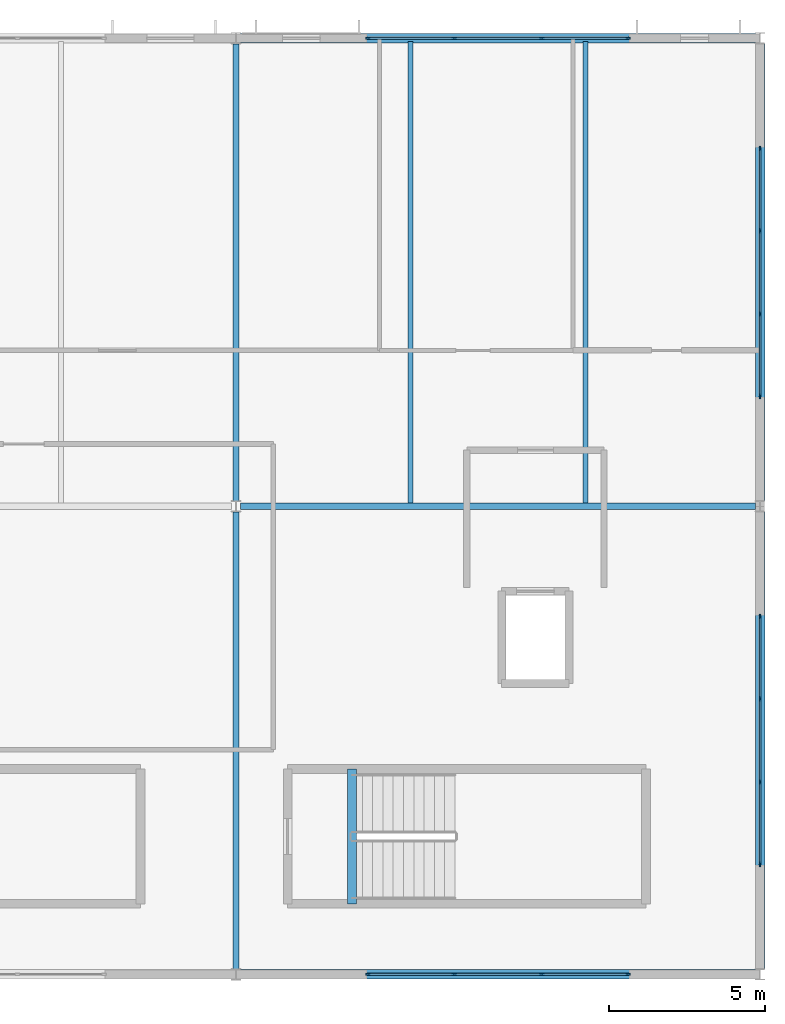
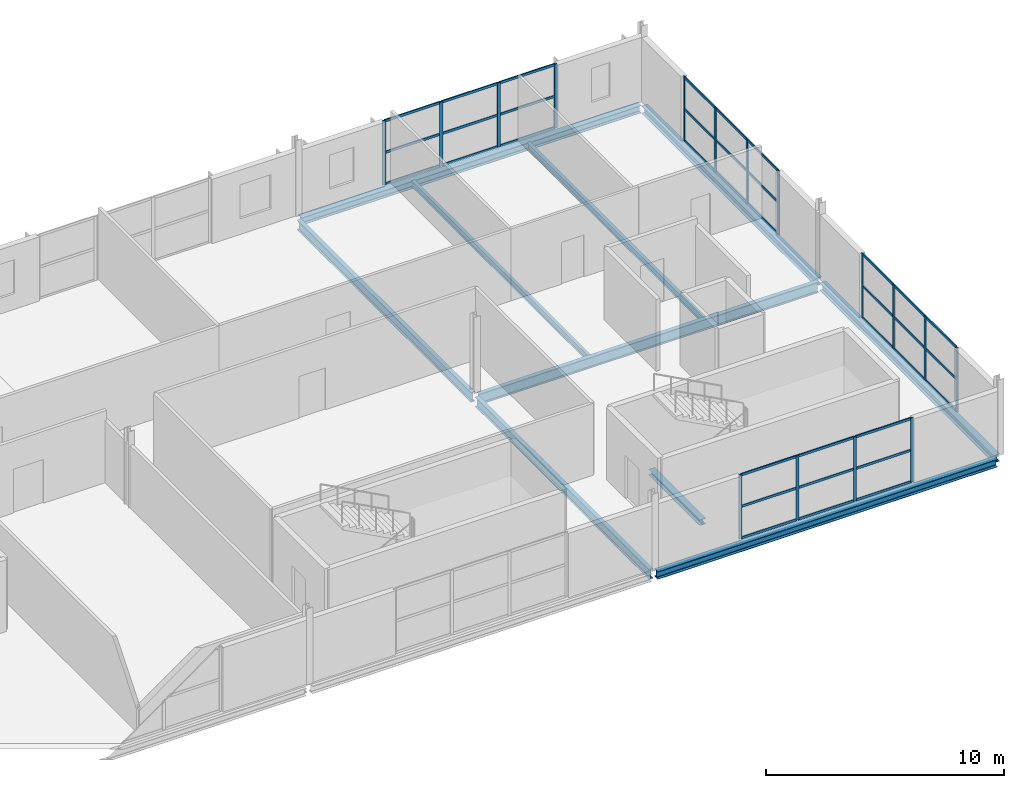
# One storey, part 11 of 18: 52 members, 10 beams, 4 elements without a shape of their own.
"""IFC4 building model written with IfcOpenShell, lengths in metres."""

from ifc_helpers import new_model, si_unit, direction, frame, origin, origin_2d, place, context, subcontext, project, spatial, rectangle, i_section, extrude, material, material_profile, profile_set, type_object, element, aggregate, save


model = new_model("IFC4")

# Units and contexts
model_context = context("Model", 3, precision=1e-05, world=origin(), true_north=direction((0.0, 1.0)))
body_context = subcontext(model_context, "Body", "Model", "MODEL_VIEW")
ifc_project = project(units=[si_unit("LENGTHUNIT", "METRE"), si_unit("AREAUNIT", "SQUARE_METRE"), si_unit("VOLUMEUNIT", "CUBIC_METRE"), si_unit("PLANEANGLEUNIT", "RADIAN"), si_unit("MASSUNIT", "GRAM", prefix="KILO")], contexts=[model_context])

# Site, building, storey
site_placement = place(None, origin())
site = spatial("IfcSite", under=ifc_project, at=site_placement, CompositionType="ELEMENT")
building_placement = place(site_placement, origin())
building = spatial("IfcBuilding", under=site, at=building_placement, Name="Kimbaza Rail Terminus", CompositionType="ELEMENT")
storey_placement = place(building_placement, frame((0.0, 0.0, 24.89990234375)))
storey = spatial("IfcBuildingStorey", under=building, at=storey_placement, Name="L05", CompositionType="ELEMENT", Elevation=24.89990234375)

# Curtain wall, members
ifc_material_1 = material(Name="Anodised aluminium framing and solar low-E glazing", Category="aluminium")
curtain_wall_type = type_object("IfcCurtainWallType", Name="ARC-CW-OP2", PredefinedType="USERDEFINED", material=ifc_material_1)
curtain_wall_1_placement = place(storey_placement, origin())
curtain_wall_1 = element("IfcCurtainWall", 1, at=curtain_wall_1_placement, inside=storey, type_object=curtain_wall_type, Name="Operations North Curtain Wall L05 Bay 4", ObjectType="STICK CURTAIN WALL", PredefinedType="USERDEFINED")
ifc_material_2 = material(Name="Anodised architectural aluminium", Category="aluminium")
ifc_material_profile_1 = material_profile(ifc_material_2, rectangle(XDim=0.05810546875, YDim=0.14990234375, at=origin_2d()), Name="MULLION 58x150")
ifc_profile_set_1 = profile_set([ifc_material_profile_1], Name="Anodised architectural aluminium")
member_type_1 = type_object("IfcMemberType", Name="ARC-CWM-06", PredefinedType="MULLION", material=ifc_profile_set_1)
member_1_placement = place(storey_placement, frame((126.62890625, 133.0, 0.0), z_axis=(0.0, 0.0, 1.0), x_axis=(0.0, 1.0, 0.0)))
member_1 = element("IfcMember", 2, at=member_1_placement, type_object=member_type_1, Name="CW-06 mullion 1", PredefinedType="MULLION", context=body_context, shape_type="SweptSolid", body=[
    extrude(rectangle(XDim=0.05810546875, YDim=0.14990234375, at=origin_2d()), origin(), (0.0, 0.0, 1.0), 3.300048828125),
])
member_2_placement = place(storey_placement, frame((129.39990234375, 133.0, 0.0), z_axis=(0.0, 0.0, 1.0), x_axis=(0.0, 1.0, 0.0)))
member_2 = element("IfcMember", 3, at=member_2_placement, type_object=member_type_1, Name="CW-06 mullion 2", PredefinedType="MULLION", context=body_context, shape_type="SweptSolid", body=[
    extrude(rectangle(XDim=0.05810546875, YDim=0.14990234375, at=origin_2d()), origin(), (0.0, 0.0, 1.0), 3.300048828125),
])
member_3_placement = place(storey_placement, frame((132.199951171875, 133.0, 0.0), z_axis=(0.0, 0.0, 1.0), x_axis=(0.0, 1.0, 0.0)))
member_3 = element("IfcMember", 4, at=member_3_placement, type_object=member_type_1, Name="CW-06 mullion 3", PredefinedType="MULLION", context=body_context, shape_type="SweptSolid", body=[
    extrude(rectangle(XDim=0.05810546875, YDim=0.14990234375, at=origin_2d()), origin(), (0.0, 0.0, 1.0), 3.300048828125),
])
member_4_placement = place(storey_placement, frame((134.970947265625, 133.0, 0.0), z_axis=(0.0, 0.0, 1.0), x_axis=(0.0, 1.0, 0.0)))
member_4 = element("IfcMember", 5, at=member_4_placement, type_object=member_type_1, Name="CW-06 mullion 4", PredefinedType="MULLION", context=body_context, shape_type="SweptSolid", body=[
    extrude(rectangle(XDim=0.05810546875, YDim=0.14990234375, at=origin_2d()), origin(), (0.0, 0.0, 1.0), 3.300048828125),
])

curtain_wall_2_placement = place(storey_placement, origin())
curtain_wall_2 = element("IfcCurtainWall", 6, at=curtain_wall_2_placement, inside=storey, type_object=curtain_wall_type, Name="Operations South Curtain Wall L05 Bay 4", ObjectType="STICK CURTAIN WALL", PredefinedType="USERDEFINED")
member_5_placement = place(storey_placement, frame((126.62890625, 103.0, 0.0), z_axis=(0.0, 0.0, 1.0), x_axis=(0.0, 1.0, 0.0)))
member_5 = element("IfcMember", 7, at=member_5_placement, type_object=member_type_1, Name="CW-06 mullion 1", PredefinedType="MULLION", context=body_context, shape_type="SweptSolid", body=[
    extrude(rectangle(XDim=0.05810546875, YDim=0.14990234375, at=origin_2d()), origin(), (0.0, 0.0, 1.0), 3.300048828125),
])
member_6_placement = place(storey_placement, frame((129.39990234375, 103.0, 0.0), z_axis=(0.0, 0.0, 1.0), x_axis=(0.0, 1.0, 0.0)))
member_6 = element("IfcMember", 8, at=member_6_placement, type_object=member_type_1, Name="CW-06 mullion 2", PredefinedType="MULLION", context=body_context, shape_type="SweptSolid", body=[
    extrude(rectangle(XDim=0.05810546875, YDim=0.14990234375, at=origin_2d()), origin(), (0.0, 0.0, 1.0), 3.300048828125),
])
member_7_placement = place(storey_placement, frame((132.199951171875, 103.0, 0.0), z_axis=(0.0, 0.0, 1.0), x_axis=(0.0, 1.0, 0.0)))
member_7 = element("IfcMember", 9, at=member_7_placement, type_object=member_type_1, Name="CW-06 mullion 3", PredefinedType="MULLION", context=body_context, shape_type="SweptSolid", body=[
    extrude(rectangle(XDim=0.05810546875, YDim=0.14990234375, at=origin_2d()), origin(), (0.0, 0.0, 1.0), 3.300048828125),
])
member_8_placement = place(storey_placement, frame((134.970947265625, 103.0, 0.0), z_axis=(0.0, 0.0, 1.0), x_axis=(0.0, 1.0, 0.0)))
member_8 = element("IfcMember", 10, at=member_8_placement, type_object=member_type_1, Name="CW-06 mullion 4", PredefinedType="MULLION", context=body_context, shape_type="SweptSolid", body=[
    extrude(rectangle(XDim=0.05810546875, YDim=0.14990234375, at=origin_2d()), origin(), (0.0, 0.0, 1.0), 3.300048828125),
])

curtain_wall_3_placement = place(storey_placement, origin())
curtain_wall_3 = element("IfcCurtainWall", 11, at=curtain_wall_3_placement, inside=storey, type_object=curtain_wall_type, Name="Operations E Curtain Wall L05.1", ObjectType="STICK CURTAIN WALL", PredefinedType="USERDEFINED")
member_9_placement = place(storey_placement, frame((139.199951171875, 106.529052734375, 0.0), z_axis=(0.0, 0.0, 1.0), x_axis=(-1.0, 0.0, 0.0)))
member_9 = element("IfcMember", 12, at=member_9_placement, type_object=member_type_1, Name="CW-06 mullion 1", PredefinedType="MULLION", context=body_context, shape_type="SweptSolid", body=[
    extrude(rectangle(XDim=0.05810546875, YDim=0.14990234375, at=origin_2d()), origin(), (0.0, 0.0, 1.0), 3.300048828125),
])
member_10_placement = place(storey_placement, frame((139.199951171875, 109.166748046875, 0.0), z_axis=(0.0, 0.0, 1.0), x_axis=(-1.0, 0.0, 0.0)))
member_10 = element("IfcMember", 13, at=member_10_placement, type_object=member_type_1, Name="CW-06 mullion 2", PredefinedType="MULLION", context=body_context, shape_type="SweptSolid", body=[
    extrude(rectangle(XDim=0.05810546875, YDim=0.14990234375, at=origin_2d()), origin(), (0.0, 0.0, 1.0), 3.300048828125),
])
member_11_placement = place(storey_placement, frame((139.199951171875, 111.833251953125, 0.0), z_axis=(0.0, 0.0, 1.0), x_axis=(-1.0, 0.0, 0.0)))
member_11 = element("IfcMember", 14, at=member_11_placement, type_object=member_type_1, Name="CW-06 mullion 3", PredefinedType="MULLION", context=body_context, shape_type="SweptSolid", body=[
    extrude(rectangle(XDim=0.05810546875, YDim=0.14990234375, at=origin_2d()), origin(), (0.0, 0.0, 1.0), 3.300048828125),
])
member_12_placement = place(storey_placement, frame((139.199951171875, 114.470947265625, 0.0), z_axis=(0.0, 0.0, 1.0), x_axis=(-1.0, 0.0, 0.0)))
member_12 = element("IfcMember", 15, at=member_12_placement, type_object=member_type_1, Name="CW-06 mullion 4", PredefinedType="MULLION", context=body_context, shape_type="SweptSolid", body=[
    extrude(rectangle(XDim=0.05810546875, YDim=0.14990234375, at=origin_2d()), origin(), (0.0, 0.0, 1.0), 3.300048828125),
])

curtain_wall_4_placement = place(storey_placement, origin())
curtain_wall_4 = element("IfcCurtainWall", 16, at=curtain_wall_4_placement, inside=storey, type_object=curtain_wall_type, Name="Operations E Curtain Wall L05.2", ObjectType="STICK CURTAIN WALL", PredefinedType="USERDEFINED")
member_13_placement = place(storey_placement, frame((139.199951171875, 121.529052734375, 0.0), z_axis=(0.0, 0.0, 1.0), x_axis=(-1.0, 0.0, 0.0)))
member_13 = element("IfcMember", 17, at=member_13_placement, type_object=member_type_1, Name="CW-06 mullion 1", PredefinedType="MULLION", context=body_context, shape_type="SweptSolid", body=[
    extrude(rectangle(XDim=0.05810546875, YDim=0.14990234375, at=origin_2d()), origin(), (0.0, 0.0, 1.0), 3.300048828125),
])
member_14_placement = place(storey_placement, frame((139.199951171875, 124.166748046875, 0.0), z_axis=(0.0, 0.0, 1.0), x_axis=(-1.0, 0.0, 0.0)))
member_14 = element("IfcMember", 18, at=member_14_placement, type_object=member_type_1, Name="CW-06 mullion 2", PredefinedType="MULLION", context=body_context, shape_type="SweptSolid", body=[
    extrude(rectangle(XDim=0.05810546875, YDim=0.14990234375, at=origin_2d()), origin(), (0.0, 0.0, 1.0), 3.300048828125),
])
member_15_placement = place(storey_placement, frame((139.199951171875, 126.833251953125, 0.0), z_axis=(0.0, 0.0, 1.0), x_axis=(-1.0, 0.0, 0.0)))
member_15 = element("IfcMember", 19, at=member_15_placement, type_object=member_type_1, Name="CW-06 mullion 3", PredefinedType="MULLION", context=body_context, shape_type="SweptSolid", body=[
    extrude(rectangle(XDim=0.05810546875, YDim=0.14990234375, at=origin_2d()), origin(), (0.0, 0.0, 1.0), 3.300048828125),
])
member_16_placement = place(storey_placement, frame((139.199951171875, 129.470947265625, 0.0), z_axis=(0.0, 0.0, 1.0), x_axis=(-1.0, 0.0, 0.0)))
member_16 = element("IfcMember", 20, at=member_16_placement, type_object=member_type_1, Name="CW-06 mullion 4", PredefinedType="MULLION", context=body_context, shape_type="SweptSolid", body=[
    extrude(rectangle(XDim=0.05810546875, YDim=0.14990234375, at=origin_2d()), origin(), (0.0, 0.0, 1.0), 3.300048828125),
])

# Member
ifc_material_3 = material(Name="Anodised architectural aluminium", Category="aluminium")
ifc_material_profile_2 = material_profile(ifc_material_3, rectangle(XDim=0.05810546875, YDim=0.125, at=origin_2d()), Name="TRANSOM 58x125")
ifc_profile_set_2 = profile_set([ifc_material_profile_2], Name="Anodised architectural aluminium")
member_type_2 = type_object("IfcMemberType", Name="ARC-CWT-06", PredefinedType="USERDEFINED", material=ifc_profile_set_2)
member_17_placement = place(storey_placement, frame((126.657958984375, 133.0, 0.029052734375), z_axis=(1.0, 0.0, 0.0), x_axis=(0.0, 1.0, 0.0)))
member_17 = element("IfcMember", 21, at=member_17_placement, type_object=member_type_2, Name="CW-06 transom 1.1", ObjectType="TRANSOM", PredefinedType="USERDEFINED", context=body_context, shape_type="SweptSolid", body=[
    extrude(rectangle(XDim=0.05810546875, YDim=0.125, at=origin_2d()), origin(), (0.0, 0.0, 1.0), 2.713134765625),
])

member_18_placement = place(storey_placement, frame((126.657958984375, 133.0, 1.650146484375), z_axis=(1.0, 0.0, 0.0), x_axis=(0.0, 1.0, 0.0)))
member_18 = element("IfcMember", 22, at=member_18_placement, type_object=member_type_2, Name="CW-06 transom 1.2", ObjectType="TRANSOM", PredefinedType="USERDEFINED", context=body_context, shape_type="SweptSolid", body=[
    extrude(rectangle(XDim=0.05810546875, YDim=0.125, at=origin_2d()), origin(), (0.0, 0.0, 1.0), 2.713134765625),
])

member_19_placement = place(storey_placement, frame((126.657958984375, 133.0, 3.27099609375), z_axis=(1.0, 0.0, 0.0), x_axis=(0.0, 1.0, 0.0)))
member_19 = element("IfcMember", 23, at=member_19_placement, type_object=member_type_2, Name="CW-06 transom 1.3", ObjectType="TRANSOM", PredefinedType="USERDEFINED", context=body_context, shape_type="SweptSolid", body=[
    extrude(rectangle(XDim=0.05810546875, YDim=0.125, at=origin_2d()), origin(), (0.0, 0.0, 1.0), 2.713134765625),
])

member_20_placement = place(storey_placement, frame((129.428955078125, 133.0, 0.029052734375), z_axis=(1.0, 0.0, 0.0), x_axis=(0.0, 1.0, 0.0)))
member_20 = element("IfcMember", 24, at=member_20_placement, type_object=member_type_2, Name="CW-06 transom 2.1", ObjectType="TRANSOM", PredefinedType="USERDEFINED", context=body_context, shape_type="SweptSolid", body=[
    extrude(rectangle(XDim=0.05810546875, YDim=0.125, at=origin_2d()), origin(), (0.0, 0.0, 1.0), 2.741943359375),
])

member_21_placement = place(storey_placement, frame((129.428955078125, 133.0, 1.650146484375), z_axis=(1.0, 0.0, 0.0), x_axis=(0.0, 1.0, 0.0)))
member_21 = element("IfcMember", 25, at=member_21_placement, type_object=member_type_2, Name="CW-06 transom 2.2", ObjectType="TRANSOM", PredefinedType="USERDEFINED", context=body_context, shape_type="SweptSolid", body=[
    extrude(rectangle(XDim=0.05810546875, YDim=0.125, at=origin_2d()), origin(), (0.0, 0.0, 1.0), 2.741943359375),
])

member_22_placement = place(storey_placement, frame((129.428955078125, 133.0, 3.27099609375), z_axis=(1.0, 0.0, 0.0), x_axis=(0.0, 1.0, 0.0)))
member_22 = element("IfcMember", 26, at=member_22_placement, type_object=member_type_2, Name="CW-06 transom 2.3", ObjectType="TRANSOM", PredefinedType="USERDEFINED", context=body_context, shape_type="SweptSolid", body=[
    extrude(rectangle(XDim=0.05810546875, YDim=0.125, at=origin_2d()), origin(), (0.0, 0.0, 1.0), 2.741943359375),
])

member_23_placement = place(storey_placement, frame((132.22900390625, 133.0, 0.029052734375), z_axis=(1.0, 0.0, 0.0), x_axis=(0.0, 1.0, 0.0)))
member_23 = element("IfcMember", 27, at=member_23_placement, type_object=member_type_2, Name="CW-06 transom 3.1", ObjectType="TRANSOM", PredefinedType="USERDEFINED", context=body_context, shape_type="SweptSolid", body=[
    extrude(rectangle(XDim=0.05810546875, YDim=0.125, at=origin_2d()), origin(), (0.0, 0.0, 1.0), 2.712890625),
])

member_24_placement = place(storey_placement, frame((132.22900390625, 133.0, 1.650146484375), z_axis=(1.0, 0.0, 0.0), x_axis=(0.0, 1.0, 0.0)))
member_24 = element("IfcMember", 28, at=member_24_placement, type_object=member_type_2, Name="CW-06 transom 3.2", ObjectType="TRANSOM", PredefinedType="USERDEFINED", context=body_context, shape_type="SweptSolid", body=[
    extrude(rectangle(XDim=0.05810546875, YDim=0.125, at=origin_2d()), origin(), (0.0, 0.0, 1.0), 2.712890625),
])

member_25_placement = place(storey_placement, frame((132.22900390625, 133.0, 3.27099609375), z_axis=(1.0, 0.0, 0.0), x_axis=(0.0, 1.0, 0.0)))
member_25 = element("IfcMember", 29, at=member_25_placement, type_object=member_type_2, Name="CW-06 transom 3.3", ObjectType="TRANSOM", PredefinedType="USERDEFINED", context=body_context, shape_type="SweptSolid", body=[
    extrude(rectangle(XDim=0.05810546875, YDim=0.125, at=origin_2d()), origin(), (0.0, 0.0, 1.0), 2.712890625),
])

aggregate(curtain_wall_1, [member_1, member_2, member_3, member_4, member_17, member_18, member_19, member_20, member_21, member_22, member_23, member_24, member_25])

member_26_placement = place(storey_placement, frame((126.657958984375, 103.0, 0.029052734375), z_axis=(1.0, 0.0, 0.0), x_axis=(0.0, 1.0, 0.0)))
member_26 = element("IfcMember", 30, at=member_26_placement, type_object=member_type_2, Name="CW-06 transom 1.1", ObjectType="TRANSOM", PredefinedType="USERDEFINED", context=body_context, shape_type="SweptSolid", body=[
    extrude(rectangle(XDim=0.05810546875, YDim=0.125, at=origin_2d()), origin(), (0.0, 0.0, 1.0), 2.713134765625),
])

member_27_placement = place(storey_placement, frame((126.657958984375, 103.0, 1.650146484375), z_axis=(1.0, 0.0, 0.0), x_axis=(0.0, 1.0, 0.0)))
member_27 = element("IfcMember", 31, at=member_27_placement, type_object=member_type_2, Name="CW-06 transom 1.2", ObjectType="TRANSOM", PredefinedType="USERDEFINED", context=body_context, shape_type="SweptSolid", body=[
    extrude(rectangle(XDim=0.05810546875, YDim=0.125, at=origin_2d()), origin(), (0.0, 0.0, 1.0), 2.713134765625),
])

member_28_placement = place(storey_placement, frame((126.657958984375, 103.0, 3.27099609375), z_axis=(1.0, 0.0, 0.0), x_axis=(0.0, 1.0, 0.0)))
member_28 = element("IfcMember", 32, at=member_28_placement, type_object=member_type_2, Name="CW-06 transom 1.3", ObjectType="TRANSOM", PredefinedType="USERDEFINED", context=body_context, shape_type="SweptSolid", body=[
    extrude(rectangle(XDim=0.05810546875, YDim=0.125, at=origin_2d()), origin(), (0.0, 0.0, 1.0), 2.713134765625),
])

member_29_placement = place(storey_placement, frame((129.428955078125, 103.0, 0.029052734375), z_axis=(1.0, 0.0, 0.0), x_axis=(0.0, 1.0, 0.0)))
member_29 = element("IfcMember", 33, at=member_29_placement, type_object=member_type_2, Name="CW-06 transom 2.1", ObjectType="TRANSOM", PredefinedType="USERDEFINED", context=body_context, shape_type="SweptSolid", body=[
    extrude(rectangle(XDim=0.05810546875, YDim=0.125, at=origin_2d()), origin(), (0.0, 0.0, 1.0), 2.741943359375),
])

member_30_placement = place(storey_placement, frame((129.428955078125, 103.0, 1.650146484375), z_axis=(1.0, 0.0, 0.0), x_axis=(0.0, 1.0, 0.0)))
member_30 = element("IfcMember", 34, at=member_30_placement, type_object=member_type_2, Name="CW-06 transom 2.2", ObjectType="TRANSOM", PredefinedType="USERDEFINED", context=body_context, shape_type="SweptSolid", body=[
    extrude(rectangle(XDim=0.05810546875, YDim=0.125, at=origin_2d()), origin(), (0.0, 0.0, 1.0), 2.741943359375),
])

member_31_placement = place(storey_placement, frame((129.428955078125, 103.0, 3.27099609375), z_axis=(1.0, 0.0, 0.0), x_axis=(0.0, 1.0, 0.0)))
member_31 = element("IfcMember", 35, at=member_31_placement, type_object=member_type_2, Name="CW-06 transom 2.3", ObjectType="TRANSOM", PredefinedType="USERDEFINED", context=body_context, shape_type="SweptSolid", body=[
    extrude(rectangle(XDim=0.05810546875, YDim=0.125, at=origin_2d()), origin(), (0.0, 0.0, 1.0), 2.741943359375),
])

member_32_placement = place(storey_placement, frame((132.22900390625, 103.0, 0.029052734375), z_axis=(1.0, 0.0, 0.0), x_axis=(0.0, 1.0, 0.0)))
member_32 = element("IfcMember", 36, at=member_32_placement, type_object=member_type_2, Name="CW-06 transom 3.1", ObjectType="TRANSOM", PredefinedType="USERDEFINED", context=body_context, shape_type="SweptSolid", body=[
    extrude(rectangle(XDim=0.05810546875, YDim=0.125, at=origin_2d()), origin(), (0.0, 0.0, 1.0), 2.712890625),
])

member_33_placement = place(storey_placement, frame((132.22900390625, 103.0, 1.650146484375), z_axis=(1.0, 0.0, 0.0), x_axis=(0.0, 1.0, 0.0)))
member_33 = element("IfcMember", 37, at=member_33_placement, type_object=member_type_2, Name="CW-06 transom 3.2", ObjectType="TRANSOM", PredefinedType="USERDEFINED", context=body_context, shape_type="SweptSolid", body=[
    extrude(rectangle(XDim=0.05810546875, YDim=0.125, at=origin_2d()), origin(), (0.0, 0.0, 1.0), 2.712890625),
])

member_34_placement = place(storey_placement, frame((132.22900390625, 103.0, 3.27099609375), z_axis=(1.0, 0.0, 0.0), x_axis=(0.0, 1.0, 0.0)))
member_34 = element("IfcMember", 38, at=member_34_placement, type_object=member_type_2, Name="CW-06 transom 3.3", ObjectType="TRANSOM", PredefinedType="USERDEFINED", context=body_context, shape_type="SweptSolid", body=[
    extrude(rectangle(XDim=0.05810546875, YDim=0.125, at=origin_2d()), origin(), (0.0, 0.0, 1.0), 2.712890625),
])

aggregate(curtain_wall_2, [member_5, member_6, member_7, member_8, member_26, member_27, member_28, member_29, member_30, member_31, member_32, member_33, member_34])

member_35_placement = place(storey_placement, frame((139.199951171875, 106.55810546875, 0.029052734375), z_axis=(0.0, 1.0, 0.0), x_axis=(-1.0, 0.0, 0.0)))
member_35 = element("IfcMember", 39, at=member_35_placement, type_object=member_type_2, Name="CW-06 transom 1.1", ObjectType="TRANSOM", PredefinedType="USERDEFINED", context=body_context, shape_type="SweptSolid", body=[
    extrude(rectangle(XDim=0.05810546875, YDim=0.125, at=origin_2d()), origin(), (0.0, 0.0, 1.0), 2.57958984375),
])

member_36_placement = place(storey_placement, frame((139.199951171875, 106.55810546875, 1.650146484375), z_axis=(0.0, 1.0, 0.0), x_axis=(-1.0, 0.0, 0.0)))
member_36 = element("IfcMember", 40, at=member_36_placement, type_object=member_type_2, Name="CW-06 transom 1.2", ObjectType="TRANSOM", PredefinedType="USERDEFINED", context=body_context, shape_type="SweptSolid", body=[
    extrude(rectangle(XDim=0.05810546875, YDim=0.125, at=origin_2d()), origin(), (0.0, 0.0, 1.0), 2.57958984375),
])

member_37_placement = place(storey_placement, frame((139.199951171875, 106.55810546875, 3.27099609375), z_axis=(0.0, 1.0, 0.0), x_axis=(-1.0, 0.0, 0.0)))
member_37 = element("IfcMember", 41, at=member_37_placement, type_object=member_type_2, Name="CW-06 transom 1.3", ObjectType="TRANSOM", PredefinedType="USERDEFINED", context=body_context, shape_type="SweptSolid", body=[
    extrude(rectangle(XDim=0.05810546875, YDim=0.125, at=origin_2d()), origin(), (0.0, 0.0, 1.0), 2.57958984375),
])

member_38_placement = place(storey_placement, frame((139.199951171875, 109.195556640625, 0.029052734375), z_axis=(0.0, 1.0, 0.0), x_axis=(-1.0, 0.0, 0.0)))
member_38 = element("IfcMember", 42, at=member_38_placement, type_object=member_type_2, Name="CW-06 transom 2.1", ObjectType="TRANSOM", PredefinedType="USERDEFINED", context=body_context, shape_type="SweptSolid", body=[
    extrude(rectangle(XDim=0.05810546875, YDim=0.125, at=origin_2d()), origin(), (0.0, 0.0, 1.0), 2.60888671875),
])

member_39_placement = place(storey_placement, frame((139.199951171875, 109.195556640625, 1.650146484375), z_axis=(0.0, 1.0, 0.0), x_axis=(-1.0, 0.0, 0.0)))
member_39 = element("IfcMember", 43, at=member_39_placement, type_object=member_type_2, Name="CW-06 transom 2.2", ObjectType="TRANSOM", PredefinedType="USERDEFINED", context=body_context, shape_type="SweptSolid", body=[
    extrude(rectangle(XDim=0.05810546875, YDim=0.125, at=origin_2d()), origin(), (0.0, 0.0, 1.0), 2.60888671875),
])

member_40_placement = place(storey_placement, frame((139.199951171875, 109.195556640625, 3.27099609375), z_axis=(0.0, 1.0, 0.0), x_axis=(-1.0, 0.0, 0.0)))
member_40 = element("IfcMember", 44, at=member_40_placement, type_object=member_type_2, Name="CW-06 transom 2.3", ObjectType="TRANSOM", PredefinedType="USERDEFINED", context=body_context, shape_type="SweptSolid", body=[
    extrude(rectangle(XDim=0.05810546875, YDim=0.125, at=origin_2d()), origin(), (0.0, 0.0, 1.0), 2.60888671875),
])

member_41_placement = place(storey_placement, frame((139.199951171875, 111.8623046875, 0.029052734375), z_axis=(0.0, 1.0, 0.0), x_axis=(-1.0, 0.0, 0.0)))
member_41 = element("IfcMember", 45, at=member_41_placement, type_object=member_type_2, Name="CW-06 transom 3.1", ObjectType="TRANSOM", PredefinedType="USERDEFINED", context=body_context, shape_type="SweptSolid", body=[
    extrude(rectangle(XDim=0.05810546875, YDim=0.125, at=origin_2d()), origin(), (0.0, 0.0, 1.0), 2.57958984375),
])

member_42_placement = place(storey_placement, frame((139.199951171875, 111.8623046875, 1.650146484375), z_axis=(0.0, 1.0, 0.0), x_axis=(-1.0, 0.0, 0.0)))
member_42 = element("IfcMember", 46, at=member_42_placement, type_object=member_type_2, Name="CW-06 transom 3.2", ObjectType="TRANSOM", PredefinedType="USERDEFINED", context=body_context, shape_type="SweptSolid", body=[
    extrude(rectangle(XDim=0.05810546875, YDim=0.125, at=origin_2d()), origin(), (0.0, 0.0, 1.0), 2.57958984375),
])

member_43_placement = place(storey_placement, frame((139.199951171875, 111.8623046875, 3.27099609375), z_axis=(0.0, 1.0, 0.0), x_axis=(-1.0, 0.0, 0.0)))
member_43 = element("IfcMember", 47, at=member_43_placement, type_object=member_type_2, Name="CW-06 transom 3.3", ObjectType="TRANSOM", PredefinedType="USERDEFINED", context=body_context, shape_type="SweptSolid", body=[
    extrude(rectangle(XDim=0.05810546875, YDim=0.125, at=origin_2d()), origin(), (0.0, 0.0, 1.0), 2.57958984375),
])

aggregate(curtain_wall_3, [member_9, member_10, member_11, member_12, member_35, member_36, member_37, member_38, member_39, member_40, member_41, member_42, member_43])

member_44_placement = place(storey_placement, frame((139.199951171875, 121.55810546875, 0.029052734375), z_axis=(0.0, 1.0, 0.0), x_axis=(-1.0, 0.0, 0.0)))
member_44 = element("IfcMember", 48, at=member_44_placement, type_object=member_type_2, Name="CW-06 transom 1.1", ObjectType="TRANSOM", PredefinedType="USERDEFINED", context=body_context, shape_type="SweptSolid", body=[
    extrude(rectangle(XDim=0.05810546875, YDim=0.125, at=origin_2d()), origin(), (0.0, 0.0, 1.0), 2.57958984375),
])

member_45_placement = place(storey_placement, frame((139.199951171875, 121.55810546875, 1.650146484375), z_axis=(0.0, 1.0, 0.0), x_axis=(-1.0, 0.0, 0.0)))
member_45 = element("IfcMember", 49, at=member_45_placement, type_object=member_type_2, Name="CW-06 transom 1.2", ObjectType="TRANSOM", PredefinedType="USERDEFINED", context=body_context, shape_type="SweptSolid", body=[
    extrude(rectangle(XDim=0.05810546875, YDim=0.125, at=origin_2d()), origin(), (0.0, 0.0, 1.0), 2.57958984375),
])

member_46_placement = place(storey_placement, frame((139.199951171875, 121.55810546875, 3.27099609375), z_axis=(0.0, 1.0, 0.0), x_axis=(-1.0, 0.0, 0.0)))
member_46 = element("IfcMember", 50, at=member_46_placement, type_object=member_type_2, Name="CW-06 transom 1.3", ObjectType="TRANSOM", PredefinedType="USERDEFINED", context=body_context, shape_type="SweptSolid", body=[
    extrude(rectangle(XDim=0.05810546875, YDim=0.125, at=origin_2d()), origin(), (0.0, 0.0, 1.0), 2.57958984375),
])

member_47_placement = place(storey_placement, frame((139.199951171875, 124.195556640625, 0.029052734375), z_axis=(0.0, 1.0, 0.0), x_axis=(-1.0, 0.0, 0.0)))
member_47 = element("IfcMember", 51, at=member_47_placement, type_object=member_type_2, Name="CW-06 transom 2.1", ObjectType="TRANSOM", PredefinedType="USERDEFINED", context=body_context, shape_type="SweptSolid", body=[
    extrude(rectangle(XDim=0.05810546875, YDim=0.125, at=origin_2d()), origin(), (0.0, 0.0, 1.0), 2.60888671875),
])

member_48_placement = place(storey_placement, frame((139.199951171875, 124.195556640625, 1.650146484375), z_axis=(0.0, 1.0, 0.0), x_axis=(-1.0, 0.0, 0.0)))
member_48 = element("IfcMember", 52, at=member_48_placement, type_object=member_type_2, Name="CW-06 transom 2.2", ObjectType="TRANSOM", PredefinedType="USERDEFINED", context=body_context, shape_type="SweptSolid", body=[
    extrude(rectangle(XDim=0.05810546875, YDim=0.125, at=origin_2d()), origin(), (0.0, 0.0, 1.0), 2.60888671875),
])

member_49_placement = place(storey_placement, frame((139.199951171875, 124.195556640625, 3.27099609375), z_axis=(0.0, 1.0, 0.0), x_axis=(-1.0, 0.0, 0.0)))
member_49 = element("IfcMember", 53, at=member_49_placement, type_object=member_type_2, Name="CW-06 transom 2.3", ObjectType="TRANSOM", PredefinedType="USERDEFINED", context=body_context, shape_type="SweptSolid", body=[
    extrude(rectangle(XDim=0.05810546875, YDim=0.125, at=origin_2d()), origin(), (0.0, 0.0, 1.0), 2.60888671875),
])

member_50_placement = place(storey_placement, frame((139.199951171875, 126.8623046875, 0.029052734375), z_axis=(0.0, 1.0, 0.0), x_axis=(-1.0, 0.0, 0.0)))
member_50 = element("IfcMember", 54, at=member_50_placement, type_object=member_type_2, Name="CW-06 transom 3.1", ObjectType="TRANSOM", PredefinedType="USERDEFINED", context=body_context, shape_type="SweptSolid", body=[
    extrude(rectangle(XDim=0.05810546875, YDim=0.125, at=origin_2d()), origin(), (0.0, 0.0, 1.0), 2.57958984375),
])

member_51_placement = place(storey_placement, frame((139.199951171875, 126.8623046875, 1.650146484375), z_axis=(0.0, 1.0, 0.0), x_axis=(-1.0, 0.0, 0.0)))
member_51 = element("IfcMember", 55, at=member_51_placement, type_object=member_type_2, Name="CW-06 transom 3.2", ObjectType="TRANSOM", PredefinedType="USERDEFINED", context=body_context, shape_type="SweptSolid", body=[
    extrude(rectangle(XDim=0.05810546875, YDim=0.125, at=origin_2d()), origin(), (0.0, 0.0, 1.0), 2.57958984375),
])

member_52_placement = place(storey_placement, frame((139.199951171875, 126.8623046875, 3.27099609375), z_axis=(0.0, 1.0, 0.0), x_axis=(-1.0, 0.0, 0.0)))
member_52 = element("IfcMember", 56, at=member_52_placement, type_object=member_type_2, Name="CW-06 transom 3.3", ObjectType="TRANSOM", PredefinedType="USERDEFINED", context=body_context, shape_type="SweptSolid", body=[
    extrude(rectangle(XDim=0.05810546875, YDim=0.125, at=origin_2d()), origin(), (0.0, 0.0, 1.0), 2.57958984375),
])

aggregate(curtain_wall_4, [member_13, member_14, member_15, member_16, member_44, member_45, member_46, member_47, member_48, member_49, member_50, member_51, member_52])

# Beams
ifc_material_4 = material(Name="Steel S355", Category="steel")
ifc_material_profile_3 = material_profile(ifc_material_4, i_section(OverallWidth=0.300048828125, OverallDepth=0.2900390625, WebThickness=0.008544921875, FlangeThickness=0.013916015625, FilletRadius=0.027099609375, at=origin_2d()), Name="HEA 300")
ifc_profile_set_3 = profile_set([ifc_material_profile_3], Name="Steel S355")
beam_type_1 = type_object("IfcBeamType", Name="STR-BM-HEA300", PredefinedType="SPANDREL", material=ifc_profile_set_3)
beam_1_placement = place(storey_placement, frame((126.1201171875, 105.260009765625, -0.3349609375), z_axis=(0.0, 1.0, 0.0), x_axis=(-1.0, 0.0, 0.0)))
element("IfcBeam", 57, at=beam_1_placement, inside=storey, type_object=beam_type_1, Name="Operations East Exit Stair Landing Trimmer Beam L05", PredefinedType="SPANDREL", context=body_context, shape_type="SweptSolid", body=[
    extrude(i_section(OverallWidth=0.300048828125, OverallDepth=0.2900390625, WebThickness=0.008544921875, FlangeThickness=0.013916015625, FilletRadius=0.027099609375, at=origin_2d()), origin(), (0.0, 0.0, 1.0), 4.320068359375),
])
ifc_material_5 = material(Name="Steel S355", Category="steel")
ifc_material_profile_4 = material_profile(ifc_material_5, i_section(OverallWidth=0.300048828125, OverallDepth=0.389892578125, WebThickness=0.010986328125, FlangeThickness=0.01904296875, FilletRadius=0.027099609375, at=origin_2d()), Name="HEA 400")
ifc_profile_set_4 = profile_set([ifc_material_profile_4], Name="Steel S355")
beam_type_2 = type_object("IfcBeamType", Name="STR-BM-HEA400", PredefinedType="SPANDREL", material=ifc_profile_set_4)
for number, where, z_axis, x_axis, name in (
    (58, (122.5458984375, 103.0, -0.385009765625), (1.0, 0.0, 0.0), (0.0, 1.0, 0.0), "Operations Girder L05 X3-Y0"),
    (59, (122.5458984375, 133.0, -0.385009765625), (1.0, 0.0, 0.0), (0.0, 1.0, 0.0), "Operations Girder L05 X3-Y2"),
):
    element("IfcBeam", number, at=place(storey_placement, frame(where, z_axis=z_axis, x_axis=x_axis)), inside=storey, type_object=beam_type_2, Name=name, PredefinedType="SPANDREL", context=body_context, shape_type="SweptSolid", body=[
        extrude(i_section(OverallWidth=0.300048828125, OverallDepth=0.389892578125, WebThickness=0.010986328125, FlangeThickness=0.01904296875, FilletRadius=0.027099609375, at=origin_2d()), origin(), (0.0, 0.0, 1.0), 16.508056640625),
    ])
for number, where, z_axis, x_axis, name in (
    (60, (139.199951171875, 103.175048828125, -0.385009765625), (0.0, 1.0, 0.0), (-1.0, 0.0, 0.0), "Operations Cross Girder L05 X4-Y0"),
    (61, (139.199951171875, 118.175048828125, -0.385009765625), (0.0, 1.0, 0.0), (-1.0, 0.0, 0.0), "Operations Cross Girder L05 X4-Y1"),
):
    element("IfcBeam", number, at=place(storey_placement, frame(where, z_axis=z_axis, x_axis=x_axis)), inside=storey, type_object=beam_type_2, Name=name, PredefinedType="SPANDREL", context=body_context, shape_type="SweptSolid", body=[
        extrude(i_section(OverallWidth=0.300048828125, OverallDepth=0.389892578125, WebThickness=0.010986328125, FlangeThickness=0.01904296875, FilletRadius=0.027099609375, at=origin_2d()), origin(), (0.0, 0.0, 1.0), 14.64990234375),
    ])
ifc_material_6 = material(Name="Steel S355", Category="steel")
ifc_material_profile_5 = material_profile(ifc_material_6, i_section(OverallWidth=0.159912109375, OverallDepth=0.330078125, WebThickness=0.007568359375, FlangeThickness=0.011474609375, FilletRadius=0.01806640625, at=origin_2d()), Name="IPE 330")
ifc_profile_set_5 = profile_set([ifc_material_profile_5], Name="Steel S355")
beam_type_3 = type_object("IfcBeamType", Name="STR-BM-IPE330", PredefinedType="JOIST", material=ifc_profile_set_5)
for number, where, z_axis, x_axis, name in (
    (62, (128.0, 118.10009765625, -0.35498046875), (0.0, 1.0, 0.0), (-1.0, 0.0, 0.0), "Operations Secondary Joist L05"),
    (63, (133.60009765625, 118.10009765625, -0.35498046875), (0.0, 1.0, 0.0), (-1.0, 0.0, 0.0), "Operations Secondary Joist L05"),
):
    element("IfcBeam", number, at=place(storey_placement, frame(where, z_axis=z_axis, x_axis=x_axis)), inside=storey, type_object=beam_type_3, Name=name, PredefinedType="JOIST", context=body_context, shape_type="SweptSolid", body=[
        extrude(i_section(OverallWidth=0.159912109375, OverallDepth=0.330078125, WebThickness=0.007568359375, FlangeThickness=0.011474609375, FilletRadius=0.01806640625, at=origin_2d()), origin(), (0.0, 0.0, 1.0), 14.7998046875),
    ])
ifc_material_7 = material(Name="Steel S355", Category="steel")
ifc_material_profile_6 = material_profile(ifc_material_7, i_section(OverallWidth=0.199951171875, OverallDepth=0.5, WebThickness=0.01025390625, FlangeThickness=0.01611328125, FilletRadius=0.02099609375, at=origin_2d()), Name="IPE 500")
ifc_profile_set_6 = profile_set([ifc_material_profile_6], Name="Steel S355")
beam_type_4 = type_object("IfcBeamType", Name="STR-BM-IPE500", PredefinedType="BEAM", material=ifc_profile_set_6)
for number, where, z_axis, x_axis, name in (
    (64, (122.39990234375, 103.175048828125, -0.43994140625), (0.0, 1.0, 0.0), (-1.0, 0.0, 0.0), "Operations Cross Girder L05 X3-Y0"),
    (65, (122.39990234375, 118.175048828125, -0.43994140625), (0.0, 1.0, 0.0), (-1.0, 0.0, 0.0), "Operations Cross Girder L05 X3-Y1"),
):
    element("IfcBeam", number, at=place(storey_placement, frame(where, z_axis=z_axis, x_axis=x_axis)), inside=storey, type_object=beam_type_4, Name=name, PredefinedType="BEAM", context=body_context, shape_type="SweptSolid", body=[
        extrude(i_section(OverallWidth=0.199951171875, OverallDepth=0.5, WebThickness=0.01025390625, FlangeThickness=0.01611328125, FilletRadius=0.02099609375, at=origin_2d()), origin(), (0.0, 0.0, 1.0), 14.64990234375),
    ])
ifc_material_8 = material(Name="Steel S355", Category="steel")
ifc_material_profile_7 = material_profile(ifc_material_8, i_section(OverallWidth=0.2099609375, OverallDepth=0.550048828125, WebThickness=0.010986328125, FlangeThickness=0.01708984375, FilletRadius=0.02392578125, at=origin_2d()), Name="IPE 550")
ifc_profile_set_7 = profile_set([ifc_material_profile_7], Name="Steel S355")
beam_type_5 = type_object("IfcBeamType", Name="STR-BM-IPE550", PredefinedType="BEAM", material=ifc_profile_set_7)
beam_2_placement = place(storey_placement, frame((122.5458984375, 118.0, -0.46484375), z_axis=(1.0, 0.0, 0.0), x_axis=(0.0, 1.0, 0.0)))
element("IfcBeam", 66, at=beam_2_placement, inside=storey, type_object=beam_type_5, Name="Operations Girder L05 X3-Y1", PredefinedType="BEAM", context=body_context, shape_type="SweptSolid", body=[
    extrude(i_section(OverallWidth=0.2099609375, OverallDepth=0.550048828125, WebThickness=0.010986328125, FlangeThickness=0.01708984375, FilletRadius=0.02392578125, at=origin_2d()), origin(), (0.0, 0.0, 1.0), 16.508056640625),
])

save(model, "model.ifc")
